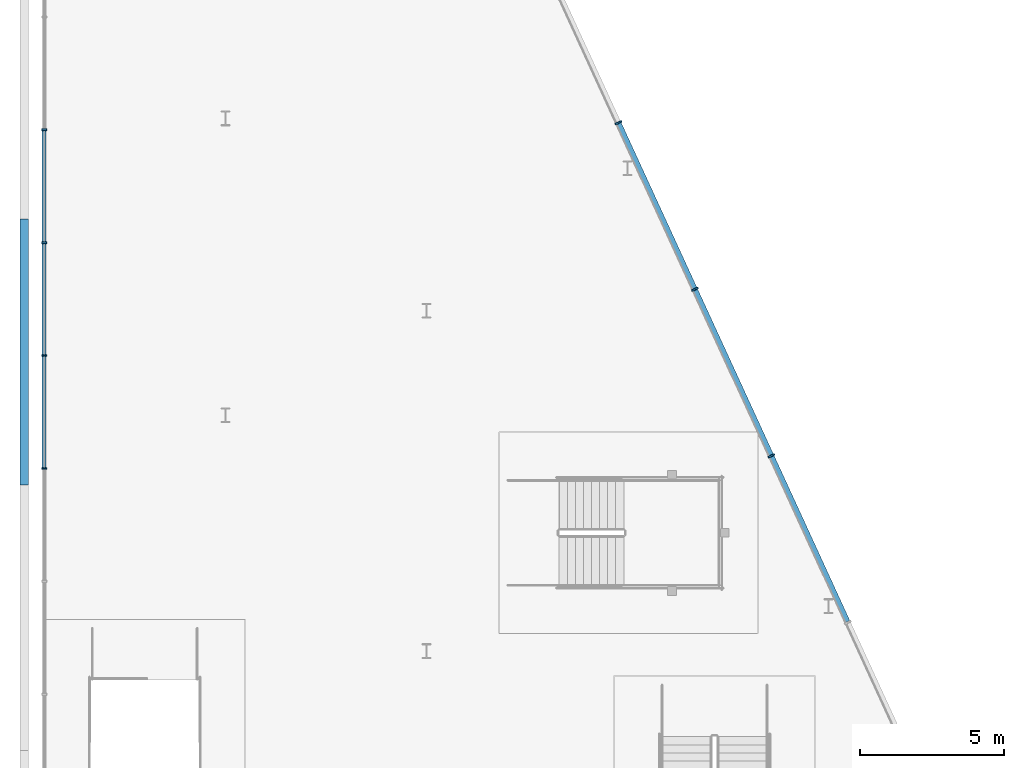
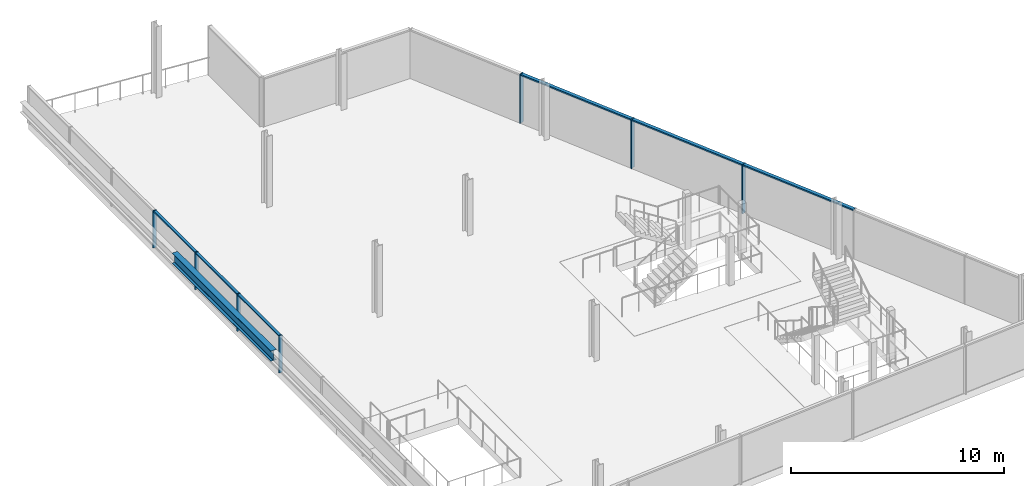
# One storey, part 4 of 9: 13 members, 1 beam, 2 elements without a shape of their own.
"""IFC4 building model written with IfcOpenShell, lengths in metres."""

from ifc_helpers import new_model, si_unit, direction, frame, origin, origin_2d, place, context, subcontext, project, spatial, rectangle, i_section, extrude, material, material_profile, profile_set, type_object, element, aggregate, save


model = new_model("IFC4")

# Units and contexts
model_context = context("Model", 3, precision=1e-05, world=origin(), true_north=direction((0.0, 1.0)))
body_context = subcontext(model_context, "Body", "Model", "MODEL_VIEW")
ifc_project = project(units=[si_unit("LENGTHUNIT", "METRE"), si_unit("AREAUNIT", "SQUARE_METRE"), si_unit("VOLUMEUNIT", "CUBIC_METRE"), si_unit("PLANEANGLEUNIT", "RADIAN"), si_unit("MASSUNIT", "GRAM", prefix="KILO")], contexts=[model_context])

# Site, building, storey
site_placement = place(None, origin())
site = spatial("IfcSite", under=ifc_project, at=site_placement, CompositionType="ELEMENT")
building_placement = place(site_placement, origin())
building = spatial("IfcBuilding", under=site, at=building_placement, Name="Wharfspan Tower", CompositionType="ELEMENT")
storey_placement = place(building_placement, frame((0.0, 0.0, 270.699951)))
storey = spatial("IfcBuildingStorey", under=building, at=storey_placement, Name="L69", CompositionType="ELEMENT", Elevation=270.699951)

# Curtain wall, members
ifc_material_1 = material(Name="Aluminium 6063-T6", Category="aluminium")
curtain_wall_type_1 = type_object("IfcCurtainWallType", Name="CURTAIN WALL CROWN GABLE", PredefinedType="NOTDEFINED", material=ifc_material_1)
curtain_wall_1_placement = place(storey_placement, origin())
curtain_wall_1 = element("IfcCurtainWall", 1, at=curtain_wall_1_placement, inside=storey, type_object=curtain_wall_type_1, Name="Crown gable glazing", PredefinedType="NOTDEFINED")
ifc_material_profile_1 = material_profile(ifc_material_1, rectangle(XDim=0.179932, YDim=0.060059, at=origin_2d()))
ifc_profile_set_1 = profile_set([ifc_material_profile_1], Name="Aluminium 6063-T6")
member_type_1 = type_object("IfcMemberType", Name="MULLION CROWN GABLE 60x180", PredefinedType="MULLION", material=ifc_profile_set_1)
member_1_placement = place(storey_placement, frame((44.691162, 25.762451, 0.0), z_axis=(0.0, 0.0, 1.0), x_axis=(-1.0, 0.0, 0.0)))
member_1 = element("IfcMember", 2, at=member_1_placement, type_object=member_type_1, Name="Crown gable glazing mullion 6", PredefinedType="MULLION", context=body_context, shape_type="SweptSolid", body=[
    extrude(rectangle(XDim=0.179932, YDim=0.060059, at=origin_2d()), origin(), (0.0, 0.0, 1.0), 2.124268),
])
member_2_placement = place(storey_placement, frame((44.691162, 29.691895, 0.0), z_axis=(0.0, 0.0, 1.0), x_axis=(-1.0, 0.0, 0.0)))
member_2 = element("IfcMember", 3, at=member_2_placement, type_object=member_type_1, Name="Crown gable glazing mullion 7", PredefinedType="MULLION", context=body_context, shape_type="SweptSolid", body=[
    extrude(rectangle(XDim=0.179932, YDim=0.060059, at=origin_2d()), origin(), (0.0, 0.0, 1.0), 2.124268),
])
member_3_placement = place(storey_placement, frame((44.691162, 33.621338, 0.0), z_axis=(0.0, 0.0, 1.0), x_axis=(-1.0, 0.0, 0.0)))
member_3 = element("IfcMember", 4, at=member_3_placement, type_object=member_type_1, Name="Crown gable glazing mullion 8", PredefinedType="MULLION", context=body_context, shape_type="SweptSolid", body=[
    extrude(rectangle(XDim=0.179932, YDim=0.060059, at=origin_2d()), origin(), (0.0, 0.0, 1.0), 2.124268),
])
member_4_placement = place(storey_placement, frame((44.691162, 37.550781, 0.0), z_axis=(0.0, 0.0, 1.0), x_axis=(-1.0, 0.0, 0.0)))
member_4 = element("IfcMember", 5, at=member_4_placement, type_object=member_type_1, Name="Crown gable glazing mullion 9", PredefinedType="MULLION", context=body_context, shape_type="SweptSolid", body=[
    extrude(rectangle(XDim=0.179932, YDim=0.060059, at=origin_2d()), origin(), (0.0, 0.0, 1.0), 2.124268),
])

curtain_wall_type_2 = type_object("IfcCurtainWallType", Name="CURTAIN WALL PROW AND END", PredefinedType="NOTDEFINED", material=ifc_material_1)
curtain_wall_2_placement = place(storey_placement, origin())
curtain_wall_2 = element("IfcCurtainWall", 6, at=curtain_wall_2_placement, inside=storey, type_object=curtain_wall_type_2, Name="Crown curtain wall E", PredefinedType="NOTDEFINED")
ifc_material_profile_2 = material_profile(ifc_material_1, rectangle(XDim=0.23999, YDim=0.060059, at=origin_2d()))
ifc_profile_set_2 = profile_set([ifc_material_profile_2], Name="Aluminium 6063-T6")
member_type_2 = type_object("IfcMemberType", Name="MULLION PROW AND END 60x240", PredefinedType="MULLION", material=ifc_profile_set_2)
member_5_placement = place(storey_placement, frame((70.010254, 26.199951, 0.0), z_axis=(0.0, 0.0, 1.0), x_axis=(-0.908769, -0.417292, 0.0)))
member_5 = element("IfcMember", 7, at=member_5_placement, type_object=member_type_2, Name="Crown curtain wall E mullion 4", PredefinedType="MULLION", context=body_context, shape_type="SweptSolid", body=[
    extrude(rectangle(XDim=0.23999, YDim=0.060059, at=origin_2d()), origin(), (0.0, 0.0, 1.0), 2.800049),
])
member_6_placement = place(storey_placement, frame((67.346924, 32.0, 0.0), z_axis=(0.0, 0.0, 1.0), x_axis=(-0.908769, -0.417292, 0.0)))
member_6 = element("IfcMember", 8, at=member_6_placement, type_object=member_type_2, Name="Crown curtain wall E mullion 5", PredefinedType="MULLION", context=body_context, shape_type="SweptSolid", body=[
    extrude(rectangle(XDim=0.23999, YDim=0.060059, at=origin_2d()), origin(), (0.0, 0.0, 1.0), 2.800049),
])
member_7_placement = place(storey_placement, frame((64.683594, 37.800049, 0.0), z_axis=(0.0, 0.0, 1.0), x_axis=(-0.908769, -0.417292, 0.0)))
member_7 = element("IfcMember", 9, at=member_7_placement, type_object=member_type_2, Name="Crown curtain wall E mullion 6", PredefinedType="MULLION", context=body_context, shape_type="SweptSolid", body=[
    extrude(rectangle(XDim=0.23999, YDim=0.060059, at=origin_2d()), origin(), (0.0, 0.0, 1.0), 2.800049),
])

# Beam
ifc_material_2 = material(Name="Steel S355J2", Category="steel")
ifc_material_profile_3 = material_profile(ifc_material_2, i_section(OverallWidth=0.300049, OverallDepth=0.600098, WebThickness=0.015381, FlangeThickness=0.030029, FilletRadius=0.0271, at=origin_2d()))
ifc_profile_set_3 = profile_set([ifc_material_profile_3], Name="Steel S355J2")
beam_type = type_object("IfcBeamType", Name="Roof girder HEB 600", PredefinedType="BEAM", material=ifc_profile_set_3)
beam_placement = place(storey_placement, frame((44.0, 25.191895, 1.550049), z_axis=(0.0, 1.0, 0.0), x_axis=(-1.0, 0.0, 0.0)))
element("IfcBeam", 10, at=beam_placement, inside=storey, type_object=beam_type, Name="Roof girder G4 25 to 34", PredefinedType="BEAM", context=body_context, shape_type="SweptSolid", body=[
    extrude(i_section(OverallWidth=0.300049, OverallDepth=0.600098, WebThickness=0.015381, FlangeThickness=0.030029, FilletRadius=0.0271, at=origin_2d()), origin(), (0.0, 0.0, 1.0), 9.258057),
])

# Member
ifc_material_profile_4 = material_profile(ifc_material_1, rectangle(XDim=0.139893, YDim=0.070068, at=origin_2d()))
ifc_profile_set_4 = profile_set([ifc_material_profile_4], Name="Aluminium 6063-T6")
member_type_3 = type_object("IfcMemberType", Name="TRANSOM CROWN GABLE 70x140", PredefinedType="USERDEFINED", material=ifc_profile_set_4)
member_8_placement = place(storey_placement, frame((44.691162, 25.79248, 2.089355), z_axis=(0.0, 1.0, 0.0), x_axis=(-1.0, 0.0, 0.0)))
member_8 = element("IfcMember", 11, at=member_8_placement, type_object=member_type_3, Name="Crown gable glazing transom 6", ObjectType="TRANSOM", PredefinedType="USERDEFINED", context=body_context, shape_type="SweptSolid", body=[
    extrude(rectangle(XDim=0.139893, YDim=0.070068, at=origin_2d()), origin(), (0.0, 0.0, 1.0), 3.869385),
])

member_9_placement = place(storey_placement, frame((44.691162, 29.721924, 2.089355), z_axis=(0.0, 1.0, 0.0), x_axis=(-1.0, 0.0, 0.0)))
member_9 = element("IfcMember", 12, at=member_9_placement, type_object=member_type_3, Name="Crown gable glazing transom 7", ObjectType="TRANSOM", PredefinedType="USERDEFINED", context=body_context, shape_type="SweptSolid", body=[
    extrude(rectangle(XDim=0.139893, YDim=0.070068, at=origin_2d()), origin(), (0.0, 0.0, 1.0), 3.869385),
])

member_10_placement = place(storey_placement, frame((44.691162, 33.651367, 2.089355), z_axis=(0.0, 1.0, 0.0), x_axis=(-1.0, 0.0, 0.0)))
member_10 = element("IfcMember", 13, at=member_10_placement, type_object=member_type_3, Name="Crown gable glazing transom 8", ObjectType="TRANSOM", PredefinedType="USERDEFINED", context=body_context, shape_type="SweptSolid", body=[
    extrude(rectangle(XDim=0.139893, YDim=0.070068, at=origin_2d()), origin(), (0.0, 0.0, 1.0), 3.869385),
])

aggregate(curtain_wall_1, [member_1, member_2, member_3, member_4, member_8, member_9, member_10])

ifc_material_profile_5 = material_profile(ifc_material_1, rectangle(XDim=0.179932, YDim=0.080078, at=origin_2d()))
ifc_profile_set_5 = profile_set([ifc_material_profile_5], Name="Aluminium 6063-T6")
member_type_4 = type_object("IfcMemberType", Name="TRANSOM PROW AND END 80x180", PredefinedType="USERDEFINED", material=ifc_profile_set_5)
member_11_placement = place(storey_placement, frame((72.660889, 20.427246, 2.76001), z_axis=(-0.41728, 0.908778, 0.0), x_axis=(-0.908778, -0.41728, 0.0)))
member_11 = element("IfcMember", 14, at=member_11_placement, type_object=member_type_4, Name="Crown curtain wall E transom 3", ObjectType="TRANSOM", PredefinedType="USERDEFINED", context=body_context, shape_type="SweptSolid", body=[
    extrude(rectangle(XDim=0.179932, YDim=0.080078, at=origin_2d()), origin(), (0.0, 0.0, 1.0), 6.322266),
])

member_12_placement = place(storey_placement, frame((69.997803, 26.227295, 2.76001), z_axis=(-0.417326, 0.908757, 0.0), x_axis=(-0.908757, -0.417326, 0.0)))
member_12 = element("IfcMember", 15, at=member_12_placement, type_object=member_type_4, Name="Crown curtain wall E transom 4", ObjectType="TRANSOM", PredefinedType="USERDEFINED", context=body_context, shape_type="SweptSolid", body=[
    extrude(rectangle(XDim=0.179932, YDim=0.080078, at=origin_2d()), origin(), (0.0, 0.0, 1.0), 6.322266),
])

member_13_placement = place(storey_placement, frame((67.334473, 32.027344, 2.76001), z_axis=(-0.417294, 0.908771, 0.0), x_axis=(-0.908771, -0.417294, 0.0)))
member_13 = element("IfcMember", 16, at=member_13_placement, type_object=member_type_4, Name="Crown curtain wall E transom 5", ObjectType="TRANSOM", PredefinedType="USERDEFINED", context=body_context, shape_type="SweptSolid", body=[
    extrude(rectangle(XDim=0.179932, YDim=0.080078, at=origin_2d()), origin(), (0.0, 0.0, 1.0), 6.322021),
])

aggregate(curtain_wall_2, [member_5, member_6, member_7, member_11, member_12, member_13])

save(model, "model.ifc")
